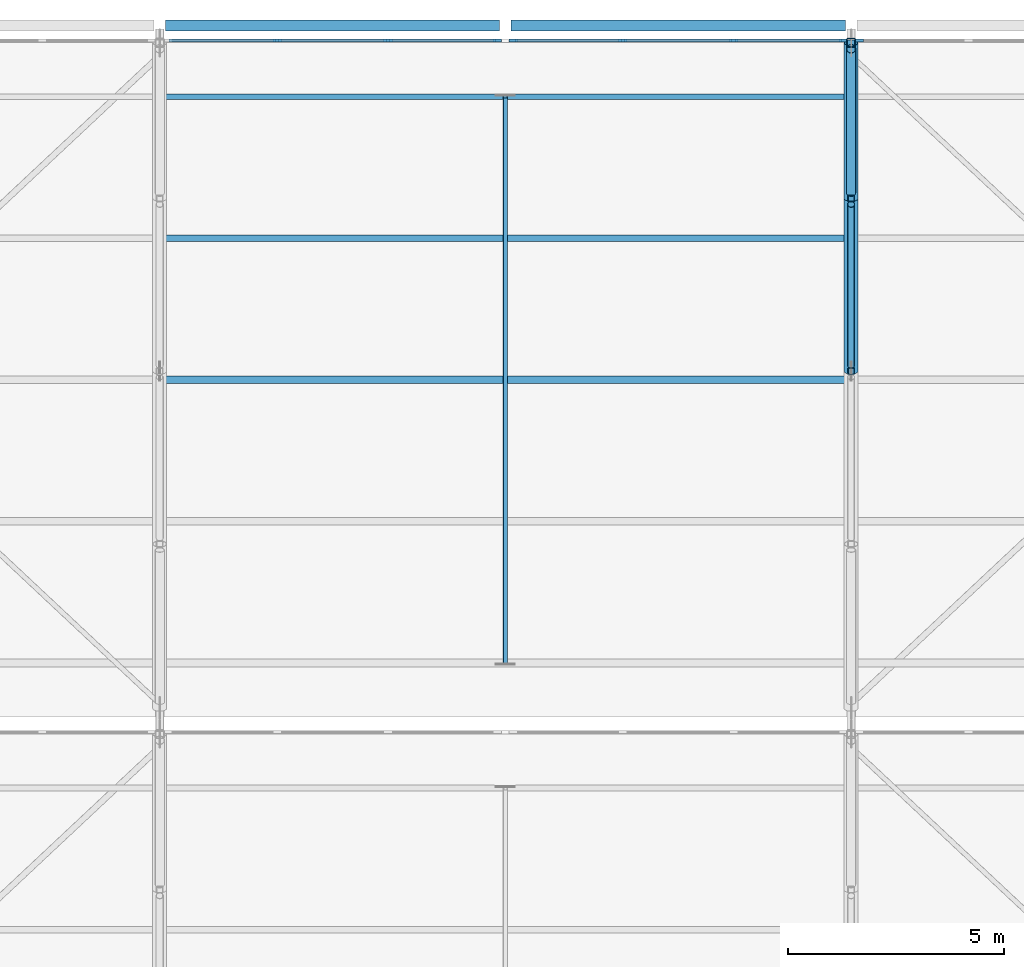
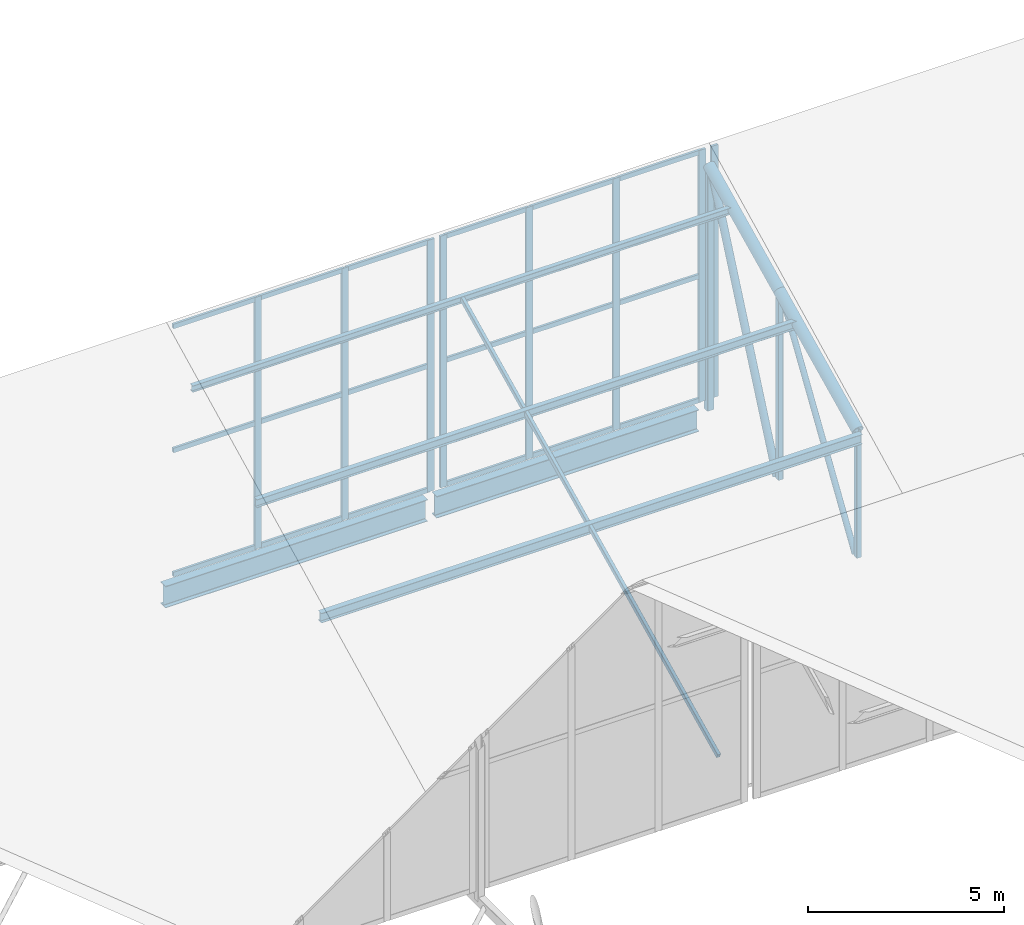
# One storey, part 51 of 137: 34 members, 5 beams, 3 elements without a shape of their own.
"""IFC4 building model written with IfcOpenShell, lengths in metres."""

from ifc_helpers import new_model, si_unit, direction, frame, origin, origin_2d, place, context, subcontext, project, spatial, rectangle, hollow_rectangle, hollow_circle, i_section, extrude, material, layer, layer_set, material_profile, profile_set, type_object, element, aggregate, save


model = new_model("IFC4")

# Units and contexts
model_context = context("Model", 3, precision=1e-05, world=origin(), true_north=direction((0.0, 1.0)))
body_context = subcontext(model_context, "Body", "Model", "MODEL_VIEW")
ifc_project = project(units=[si_unit("LENGTHUNIT", "METRE"), si_unit("AREAUNIT", "SQUARE_METRE"), si_unit("VOLUMEUNIT", "CUBIC_METRE"), si_unit("PLANEANGLEUNIT", "RADIAN"), si_unit("MASSUNIT", "GRAM", prefix="KILO")], contexts=[model_context])

# Site, building, storey
site_placement = place(None, origin())
site = spatial("IfcSite", under=ifc_project, at=site_placement, CompositionType="ELEMENT")
building_placement = place(site_placement, origin())
building = spatial("IfcBuilding", under=site, at=building_placement, Name="Jelvoka-Kovrelna Polytechnic", CompositionType="ELEMENT")
storey_placement = place(building_placement, frame((0.0, 0.0, 9.60009765625)))
storey = spatial("IfcBuildingStorey", under=building, at=storey_placement, Name="L03", CompositionType="ELEMENT", Elevation=9.60009765625)

# Beams
ifc_material_1 = material(Name="Structural steel S355JR", Category="steel")
ifc_material_profile_1 = material_profile(ifc_material_1, i_section(OverallWidth=0.2529296875, OverallDepth=0.677978515625, WebThickness=0.01171875, FlangeThickness=0.01611328125, FilletRadius=0.01513671875, at=origin_2d()), Name="686x254x125 UB")
ifc_profile_set_1 = profile_set([ifc_material_profile_1], Name="Structural steel S355JR")
beam_type_1 = type_object("IfcBeamType", Name="Girder_Steel_UB686", PredefinedType="BEAM", material=ifc_profile_set_1)
for number, where, z_axis, x_axis, name in (
    (1, (104.132568359375, 120.0, -0.34912109375), (1.0, 0.0, 0.0), (0.0, 1.0, 0.0), "L03 beam 0094"),
    (2, (112.132568359375, 120.0, -0.34912109375), (1.0, 0.0, 0.0), (0.0, 1.0, 0.0), "L03 beam 0096"),
):
    element("IfcBeam", number, at=place(storey_placement, frame(where, z_axis=z_axis, x_axis=x_axis)), inside=storey, type_object=beam_type_1, Name=name, PredefinedType="BEAM", context=body_context, shape_type="SweptSolid", body=[
        extrude(i_section(OverallWidth=0.2529296875, OverallDepth=0.677978515625, WebThickness=0.01171875, FlangeThickness=0.01611328125, FilletRadius=0.01513671875, at=origin_2d()), origin(), (0.0, 0.0, 1.0), 7.73486328125),
    ])

# Members
ifc_material_2 = material(Name="Structural steel S355J2H", Category="steel")
ifc_material_profile_2 = material_profile(ifc_material_2, hollow_circle(Radius=0.084228515625, WallThickness=0.008056640625, at=origin_2d()), Name="168.3x8.0 CHS")
ifc_profile_set_2 = profile_set([ifc_material_profile_2], Name="Structural steel S355J2H")
member_type_1 = type_object("IfcMemberType", Name="Member_Brace_CHS168", PredefinedType="BRACE", material=ifc_profile_set_2)
member_1_placement = place(storey_placement, frame((120.0, 112.139892578125, 0.14990234375), z_axis=(0.0, 0.5415746521, 0.840652660855), x_axis=(-1.0, 0.0, 0.0)))
element("IfcMember", 3, at=member_1_placement, inside=storey, type_object=member_type_1, Name="Sawtooth truss 3 diagonal web 2.3", PredefinedType="BRACE", context=body_context, shape_type="SweptSolid", body=[
    extrude(hollow_circle(Radius=0.084228515625, WallThickness=0.008056640625, at=origin_2d()), origin(), (0.0, 0.0, 1.0), 6.869140625),
])
ifc_material_3 = material(Name="Structural steel S355J2H", Category="steel")
ifc_material_profile_3 = material_profile(ifc_material_3, hollow_circle(Radius=0.109619140625, WallThickness=0.008056640625, at=origin_2d()), Name="219.1x8.0 CHS")
ifc_profile_set_3 = profile_set([ifc_material_profile_3], Name="Structural steel S355J2H")
member_type_2 = type_object("IfcMemberType", Name="Member_Brace_CHS219", PredefinedType="BRACE", material=ifc_profile_set_3)
member_2_placement = place(storey_placement, frame((120.0, 116.139892578125, 0.14990234375), z_axis=(0.0, 0.404336237521, 0.914610412705), x_axis=(-1.0, 0.0, 0.0)))
element("IfcMember", 4, at=member_2_placement, inside=storey, type_object=member_type_2, Name="Sawtooth truss 3 diagonal web 2.4", PredefinedType="BRACE", context=body_context, shape_type="SweptSolid", body=[
    extrude(hollow_circle(Radius=0.109619140625, WallThickness=0.008056640625, at=origin_2d()), origin(), (0.0, 0.0, 1.0), 8.211181640625),
])
ifc_material_4 = material(Name="Structural steel S355J2H", Category="steel")
ifc_material_profile_4 = material_profile(ifc_material_4, hollow_circle(Radius=0.161865234375, WallThickness=0.010009765625, at=origin_2d()), Name="323.9x10.0 CHS")
ifc_profile_set_4 = profile_set([ifc_material_profile_4], Name="Structural steel S355J2H")
member_type_3 = type_object("IfcMemberType", Name="Member_Chord_CHS324", PredefinedType="CHORD", material=ifc_profile_set_4)
member_3_placement = place(storey_placement, frame((120.0, 112.0, 4.076416015625), z_axis=(0.0, 0.900820911068, 0.434190840741), x_axis=(-1.0, 0.0, 0.0)))
element("IfcMember", 5, at=member_3_placement, inside=storey, type_object=member_type_3, Name="Sawtooth truss 3 top chord 2.3", PredefinedType="CHORD", context=body_context, shape_type="SweptSolid", body=[
    extrude(hollow_circle(Radius=0.161865234375, WallThickness=0.010009765625, at=origin_2d()), origin(), (0.0, 0.0, 1.0), 4.4404296875),
])
member_4_placement = place(storey_placement, frame((120.0, 116.0, 6.00439453125), z_axis=(0.0, 0.900784896778, 0.434265552095), x_axis=(-1.0, 0.0, 0.0)))
element("IfcMember", 6, at=member_4_placement, inside=storey, type_object=member_type_3, Name="Sawtooth truss 3 top chord 2.4", PredefinedType="CHORD", context=body_context, shape_type="SweptSolid", body=[
    extrude(hollow_circle(Radius=0.161865234375, WallThickness=0.010009765625, at=origin_2d()), origin(), (0.0, 0.0, 1.0), 3.99658203125),
])
ifc_material_5 = material(Name="Structural steel S355J2H", Category="steel")
ifc_material_profile_5 = material_profile(ifc_material_5, hollow_rectangle(XDim=0.14990234375, YDim=0.14990234375, WallThickness=0.008056640625, InnerFilletRadius=0.008056640625, OuterFilletRadius=0.011962890625, at=origin_2d()), Name="150x150x8.0 SHS")
ifc_profile_set_5 = profile_set([ifc_material_profile_5], Name="Structural steel S355J2H")
member_type_4 = type_object("IfcMemberType", Name="Member_Post_SHS150", PredefinedType="POST", material=ifc_profile_set_5)
member_5_placement = place(storey_placement, frame((120.0, 112.0, 0.14990234375), z_axis=(0.0, 0.0, 1.0), x_axis=(1.0, 0.0, 0.0)))
element("IfcMember", 7, at=member_5_placement, inside=storey, type_object=member_type_4, Name="Sawtooth truss 3 web post 2.3", PredefinedType="POST", context=body_context, shape_type="SweptSolid", body=[
    extrude(hollow_rectangle(XDim=0.14990234375, YDim=0.14990234375, WallThickness=0.008056640625, InnerFilletRadius=0.008056640625, OuterFilletRadius=0.011962890625, at=origin_2d()), origin(), (0.0, 0.0, 1.0), 3.926513671875),
])
member_6_placement = place(storey_placement, frame((120.0, 116.0, 0.14990234375), z_axis=(0.0, 0.0, 1.0), x_axis=(1.0, 0.0, 0.0)))
element("IfcMember", 8, at=member_6_placement, inside=storey, type_object=member_type_4, Name="Sawtooth truss 3 web post 2.4", PredefinedType="POST", context=body_context, shape_type="SweptSolid", body=[
    extrude(hollow_rectangle(XDim=0.14990234375, YDim=0.14990234375, WallThickness=0.008056640625, InnerFilletRadius=0.008056640625, OuterFilletRadius=0.011962890625, at=origin_2d()), origin(), (0.0, 0.0, 1.0), 5.8544921875),
])
ifc_material_6 = material(Name="Structural steel S355J2H", Category="steel")
ifc_material_profile_6 = material_profile(ifc_material_6, hollow_rectangle(XDim=0.199951171875, YDim=0.199951171875, WallThickness=0.010009765625, InnerFilletRadius=0.010009765625, OuterFilletRadius=0.014892578125, at=origin_2d()), Name="200x200x10.0 SHS")
ifc_profile_set_6 = profile_set([ifc_material_profile_6], Name="Structural steel S355J2H")
member_type_5 = type_object("IfcMemberType", Name="Member_Post_SHS200", PredefinedType="POST", material=ifc_profile_set_6)
member_7_placement = place(storey_placement, frame((120.0, 119.60009765625, 0.14990234375), z_axis=(0.0, 0.0, 1.0), x_axis=(1.0, 0.0, 0.0)))
element("IfcMember", 9, at=member_7_placement, inside=storey, type_object=member_type_5, Name="Sawtooth truss 3 web post 2.5", PredefinedType="POST", context=body_context, shape_type="SweptSolid", body=[
    extrude(hollow_rectangle(XDim=0.199951171875, YDim=0.199951171875, WallThickness=0.010009765625, InnerFilletRadius=0.010009765625, OuterFilletRadius=0.014892578125, at=origin_2d()), origin(), (0.0, 0.0, 1.0), 7.590087890625),
])
ifc_material_7 = material(Name="Structural steel S355J2H", Category="steel")
ifc_material_profile_7 = material_profile(ifc_material_7, hollow_rectangle(XDim=0.10009765625, YDim=0.14990234375, WallThickness=0.00634765625, InnerFilletRadius=0.00634765625, OuterFilletRadius=0.009521484375, at=origin_2d()), Name="150x100x6.3 RHS")
ifc_profile_set_7 = profile_set([ifc_material_profile_7], Name="Structural steel S355J2H")
member_type_6 = type_object("IfcMemberType", Name="Member_Rafter_RHS150", PredefinedType="RAFTER", material=ifc_profile_set_7)
member_8_placement = place(storey_placement, frame((112.0, 105.248046875, 0.821533203125), z_axis=(0.0, 0.900805023058, 0.434223802243), x_axis=(-1.0, 0.0, 0.0)))
element("IfcMember", 10, at=member_8_placement, inside=storey, type_object=member_type_6, Name="Sawtooth mid-bay secondary rafter 2.2", PredefinedType="RAFTER", context=body_context, shape_type="SweptSolid", body=[
    extrude(hollow_rectangle(XDim=0.10009765625, YDim=0.14990234375, WallThickness=0.00634765625, InnerFilletRadius=0.00634765625, OuterFilletRadius=0.009521484375, at=origin_2d()), origin(), (0.0, 0.0, 1.0), 14.546875),
])

# Curtain wall, members
ifc_material_8 = material(Name="Anodised aluminium 6063-T6", Category="aluminium")
ifc_layer = layer(ifc_material_8, 0.199951171875)
ifc_layer_set = layer_set([ifc_layer], Name="Anodised aluminium 6063-T6")
curtain_wall_type = type_object("IfcCurtainWallType", Name="CW_Clerestory", PredefinedType="NOTDEFINED", material=ifc_layer_set)
curtain_wall_1_placement = place(storey_placement, origin())
curtain_wall_1 = element("IfcCurtainWall", 11, at=curtain_wall_1_placement, inside=storey, type_object=curtain_wall_type, Name="L03 glazed curtain wall 188", PredefinedType="NOTDEFINED")
ifc_material_9 = material(Name="Anodised aluminium 6063-T6", Category="aluminium")
ifc_material_profile_8 = material_profile(ifc_material_9, rectangle(XDim=0.070068359375, YDim=0.199951171875, at=origin_2d()), Name="ALU 70x200")
ifc_profile_set_8 = profile_set([ifc_material_profile_8], Name="Anodised aluminium 6063-T6")
member_type_7 = type_object("IfcMemberType", Name="Mullion_M-03", PredefinedType="MULLION", material=ifc_profile_set_8)
member_9_placement = place(storey_placement, frame((106.716552734375, 119.64990234375, 0.425048828125), z_axis=(0.0, 0.0, 1.0), x_axis=(0.0, 1.0, 0.0)))
member_9 = element("IfcMember", 12, at=member_9_placement, type_object=member_type_7, Name="CW-03 mullion 2", PredefinedType="MULLION", context=body_context, shape_type="SweptSolid", body=[
    extrude(rectangle(XDim=0.070068359375, YDim=0.199951171875, at=origin_2d()), origin(), (0.0, 0.0, 1.0), 7.85009765625),
])
member_10_placement = place(storey_placement, frame((109.283447265625, 119.64990234375, 0.425048828125), z_axis=(0.0, 0.0, 1.0), x_axis=(0.0, 1.0, 0.0)))
member_10 = element("IfcMember", 13, at=member_10_placement, type_object=member_type_7, Name="CW-03 mullion 3", PredefinedType="MULLION", context=body_context, shape_type="SweptSolid", body=[
    extrude(rectangle(XDim=0.070068359375, YDim=0.199951171875, at=origin_2d()), origin(), (0.0, 0.0, 1.0), 7.85009765625),
])
member_11_placement = place(storey_placement, frame((111.81494140625, 119.64990234375, 0.425048828125), z_axis=(0.0, 0.0, 1.0), x_axis=(0.0, 1.0, 0.0)))
member_11 = element("IfcMember", 14, at=member_11_placement, type_object=member_type_7, Name="CW-03 mullion 4", PredefinedType="MULLION", context=body_context, shape_type="SweptSolid", body=[
    extrude(rectangle(XDim=0.070068359375, YDim=0.199951171875, at=origin_2d()), origin(), (0.0, 0.0, 1.0), 7.85009765625),
])

curtain_wall_2_placement = place(storey_placement, origin())
curtain_wall_2 = element("IfcCurtainWall", 15, at=curtain_wall_2_placement, inside=storey, type_object=curtain_wall_type, Name="L03 glazed curtain wall 190", PredefinedType="NOTDEFINED")
member_12_placement = place(storey_placement, frame((112.18505859375, 119.64990234375, 0.425048828125), z_axis=(0.0, 0.0, 1.0), x_axis=(0.0, 1.0, 0.0)))
member_12 = element("IfcMember", 16, at=member_12_placement, type_object=member_type_7, Name="CW-03 mullion 1", PredefinedType="MULLION", context=body_context, shape_type="SweptSolid", body=[
    extrude(rectangle(XDim=0.070068359375, YDim=0.199951171875, at=origin_2d()), origin(), (0.0, 0.0, 1.0), 7.85009765625),
])
member_13_placement = place(storey_placement, frame((114.716552734375, 119.64990234375, 0.425048828125), z_axis=(0.0, 0.0, 1.0), x_axis=(0.0, 1.0, 0.0)))
member_13 = element("IfcMember", 17, at=member_13_placement, type_object=member_type_7, Name="CW-03 mullion 2", PredefinedType="MULLION", context=body_context, shape_type="SweptSolid", body=[
    extrude(rectangle(XDim=0.070068359375, YDim=0.199951171875, at=origin_2d()), origin(), (0.0, 0.0, 1.0), 7.85009765625),
])
member_14_placement = place(storey_placement, frame((117.283447265625, 119.64990234375, 0.425048828125), z_axis=(0.0, 0.0, 1.0), x_axis=(0.0, 1.0, 0.0)))
member_14 = element("IfcMember", 18, at=member_14_placement, type_object=member_type_7, Name="CW-03 mullion 3", PredefinedType="MULLION", context=body_context, shape_type="SweptSolid", body=[
    extrude(rectangle(XDim=0.070068359375, YDim=0.199951171875, at=origin_2d()), origin(), (0.0, 0.0, 1.0), 7.85009765625),
])
member_15_placement = place(storey_placement, frame((119.81494140625, 119.64990234375, 0.425048828125), z_axis=(0.0, 0.0, 1.0), x_axis=(0.0, 1.0, 0.0)))
member_15 = element("IfcMember", 19, at=member_15_placement, type_object=member_type_7, Name="CW-03 mullion 4", PredefinedType="MULLION", context=body_context, shape_type="SweptSolid", body=[
    extrude(rectangle(XDim=0.070068359375, YDim=0.199951171875, at=origin_2d()), origin(), (0.0, 0.0, 1.0), 7.85009765625),
])

# Curtain wall, member
curtain_wall_3_placement = place(storey_placement, origin())
curtain_wall_3 = element("IfcCurtainWall", 20, at=curtain_wall_3_placement, inside=storey, type_object=curtain_wall_type, Name="L03 glazed curtain wall 192", PredefinedType="NOTDEFINED")
member_16_placement = place(storey_placement, frame((120.18505859375, 119.64990234375, 0.425048828125), z_axis=(0.0, 0.0, 1.0), x_axis=(0.0, 1.0, 0.0)))
member_16 = element("IfcMember", 21, at=member_16_placement, type_object=member_type_7, Name="CW-03 mullion 1", PredefinedType="MULLION", context=body_context, shape_type="SweptSolid", body=[
    extrude(rectangle(XDim=0.070068359375, YDim=0.199951171875, at=origin_2d()), origin(), (0.0, 0.0, 1.0), 7.85009765625),
])
aggregate(curtain_wall_3, [member_16])

# Beams
ifc_material_10 = material(Name="Structural steel S355JR", Category="steel")
ifc_material_profile_9 = material_profile(ifc_material_10, i_section(OverallWidth=0.13330078125, OverallDepth=0.203125, WebThickness=0.005615234375, FlangeThickness=0.0078125, FilletRadius=0.007568359375, at=origin_2d()), Name="203x133x25 UB")
ifc_profile_set_9 = profile_set([ifc_material_profile_9], Name="Structural steel S355JR")
beam_type_2 = type_object("IfcBeamType", Name="Purlin_Steel_UB203", PredefinedType="JOIST", material=ifc_profile_set_9)
beam_1_placement = place(storey_placement, frame((104.02001953125, 118.35205078125, 7.13818359375), z_axis=(1.0, 0.0, 0.0), x_axis=(0.0, 1.0, 0.0)))
element("IfcBeam", 22, at=beam_1_placement, inside=storey, type_object=beam_type_2, Name="Sawtooth roof purlin 020", PredefinedType="JOIST", context=body_context, shape_type="SweptSolid", body=[
    extrude(i_section(OverallWidth=0.13330078125, OverallDepth=0.203125, WebThickness=0.005615234375, FlangeThickness=0.0078125, FilletRadius=0.007568359375, at=origin_2d()), origin(), (0.0, 0.0, 1.0), 15.9599609375),
])
ifc_material_11 = material(Name="Structural steel S355JR", Category="steel")
ifc_material_profile_10 = material_profile(ifc_material_11, i_section(OverallWidth=0.14599609375, OverallDepth=0.25146484375, WebThickness=0.006103515625, FlangeThickness=0.008544921875, FilletRadius=0.007568359375, at=origin_2d()), Name="254x146x31 UB")
ifc_profile_set_10 = profile_set([ifc_material_profile_10], Name="Structural steel S355JR")
beam_type_3 = type_object("IfcBeamType", Name="Purlin_Steel_UB254", PredefinedType="JOIST", material=ifc_profile_set_10)
beam_2_placement = place(storey_placement, frame((104.02001953125, 115.075927734375, 5.55908203125), z_axis=(1.0, 0.0, 0.0), x_axis=(0.0, 1.0, 0.0)))
element("IfcBeam", 23, at=beam_2_placement, inside=storey, type_object=beam_type_3, Name="Sawtooth roof purlin 019", PredefinedType="JOIST", context=body_context, shape_type="SweptSolid", body=[
    extrude(i_section(OverallWidth=0.14599609375, OverallDepth=0.25146484375, WebThickness=0.006103515625, FlangeThickness=0.008544921875, FilletRadius=0.007568359375, at=origin_2d()), origin(), (0.0, 0.0, 1.0), 15.9599609375),
])
ifc_material_12 = material(Name="Structural steel S355JR", Category="steel")
ifc_material_profile_11 = material_profile(ifc_material_12, i_section(OverallWidth=0.1650390625, OverallDepth=0.303466796875, WebThickness=0.006103515625, FlangeThickness=0.01025390625, FilletRadius=0.0087890625, at=origin_2d()), Name="305x165x40 UB")
ifc_profile_set_11 = profile_set([ifc_material_profile_11], Name="Structural steel S355JR")
beam_type_4 = type_object("IfcBeamType", Name="Purlin_Steel_UB305", PredefinedType="JOIST", material=ifc_profile_set_11)
beam_3_placement = place(storey_placement, frame((104.02001953125, 111.800048828125, 3.97998046875), z_axis=(1.0, 0.0, 0.0), x_axis=(0.0, 1.0, 0.0)))
element("IfcBeam", 24, at=beam_3_placement, inside=storey, type_object=beam_type_4, Name="Sawtooth roof purlin 018", PredefinedType="JOIST", context=body_context, shape_type="SweptSolid", body=[
    extrude(i_section(OverallWidth=0.1650390625, OverallDepth=0.303466796875, WebThickness=0.006103515625, FlangeThickness=0.01025390625, FilletRadius=0.0087890625, at=origin_2d()), origin(), (0.0, 0.0, 1.0), 15.9599609375),
])

# Member
ifc_material_13 = material(Name="Anodised aluminium 6063-T6", Category="aluminium")
ifc_material_profile_12 = material_profile(ifc_material_13, rectangle(XDim=0.070068359375, YDim=0.14501953125, at=origin_2d()), Name="ALU 70x145")
ifc_profile_set_12 = profile_set([ifc_material_profile_12], Name="Anodised aluminium 6063-T6")
member_type_8 = type_object("IfcMemberType", Name="Transom_T-03", PredefinedType="USERDEFINED", material=ifc_profile_set_12)
member_17_placement = place(storey_placement, frame((104.219970703125, 119.64990234375, 0.48486328125), z_axis=(1.0, 0.0, 0.0), x_axis=(0.0, 1.0, 0.0)))
member_17 = element("IfcMember", 25, at=member_17_placement, type_object=member_type_8, Name="CW-03 transom 1.1", ObjectType="TRANSOM", PredefinedType="USERDEFINED", context=body_context, shape_type="SweptSolid", body=[
    extrude(rectangle(XDim=0.070068359375, YDim=0.14501953125, at=origin_2d()), origin(), (0.0, 0.0, 1.0), 2.461669921875),
])

member_18_placement = place(storey_placement, frame((104.219970703125, 119.64990234375, 4.349853515625), z_axis=(1.0, 0.0, 0.0), x_axis=(0.0, 1.0, 0.0)))
member_18 = element("IfcMember", 26, at=member_18_placement, type_object=member_type_8, Name="CW-03 transom 1.2", ObjectType="TRANSOM", PredefinedType="USERDEFINED", context=body_context, shape_type="SweptSolid", body=[
    extrude(rectangle(XDim=0.070068359375, YDim=0.14501953125, at=origin_2d()), origin(), (0.0, 0.0, 1.0), 2.461669921875),
])

member_19_placement = place(storey_placement, frame((104.219970703125, 119.64990234375, 8.21484375), z_axis=(1.0, 0.0, 0.0), x_axis=(0.0, 1.0, 0.0)))
member_19 = element("IfcMember", 27, at=member_19_placement, type_object=member_type_8, Name="CW-03 transom 1.3", ObjectType="TRANSOM", PredefinedType="USERDEFINED", context=body_context, shape_type="SweptSolid", body=[
    extrude(rectangle(XDim=0.070068359375, YDim=0.14501953125, at=origin_2d()), origin(), (0.0, 0.0, 1.0), 2.461669921875),
])

member_20_placement = place(storey_placement, frame((106.751708984375, 119.64990234375, 0.48486328125), z_axis=(1.0, 0.0, 0.0), x_axis=(0.0, 1.0, 0.0)))
member_20 = element("IfcMember", 28, at=member_20_placement, type_object=member_type_8, Name="CW-03 transom 2.1", ObjectType="TRANSOM", PredefinedType="USERDEFINED", context=body_context, shape_type="SweptSolid", body=[
    extrude(rectangle(XDim=0.070068359375, YDim=0.14501953125, at=origin_2d()), origin(), (0.0, 0.0, 1.0), 2.49658203125),
])

member_21_placement = place(storey_placement, frame((106.751708984375, 119.64990234375, 4.349853515625), z_axis=(1.0, 0.0, 0.0), x_axis=(0.0, 1.0, 0.0)))
member_21 = element("IfcMember", 29, at=member_21_placement, type_object=member_type_8, Name="CW-03 transom 2.2", ObjectType="TRANSOM", PredefinedType="USERDEFINED", context=body_context, shape_type="SweptSolid", body=[
    extrude(rectangle(XDim=0.070068359375, YDim=0.14501953125, at=origin_2d()), origin(), (0.0, 0.0, 1.0), 2.49658203125),
])

member_22_placement = place(storey_placement, frame((106.751708984375, 119.64990234375, 8.21484375), z_axis=(1.0, 0.0, 0.0), x_axis=(0.0, 1.0, 0.0)))
member_22 = element("IfcMember", 30, at=member_22_placement, type_object=member_type_8, Name="CW-03 transom 2.3", ObjectType="TRANSOM", PredefinedType="USERDEFINED", context=body_context, shape_type="SweptSolid", body=[
    extrude(rectangle(XDim=0.070068359375, YDim=0.14501953125, at=origin_2d()), origin(), (0.0, 0.0, 1.0), 2.49658203125),
])

member_23_placement = place(storey_placement, frame((109.318359375, 119.64990234375, 0.48486328125), z_axis=(1.0, 0.0, 0.0), x_axis=(0.0, 1.0, 0.0)))
member_23 = element("IfcMember", 31, at=member_23_placement, type_object=member_type_8, Name="CW-03 transom 3.1", ObjectType="TRANSOM", PredefinedType="USERDEFINED", context=body_context, shape_type="SweptSolid", body=[
    extrude(rectangle(XDim=0.070068359375, YDim=0.14501953125, at=origin_2d()), origin(), (0.0, 0.0, 1.0), 2.461669921875),
])

member_24_placement = place(storey_placement, frame((109.318359375, 119.64990234375, 4.349853515625), z_axis=(1.0, 0.0, 0.0), x_axis=(0.0, 1.0, 0.0)))
member_24 = element("IfcMember", 32, at=member_24_placement, type_object=member_type_8, Name="CW-03 transom 3.2", ObjectType="TRANSOM", PredefinedType="USERDEFINED", context=body_context, shape_type="SweptSolid", body=[
    extrude(rectangle(XDim=0.070068359375, YDim=0.14501953125, at=origin_2d()), origin(), (0.0, 0.0, 1.0), 2.461669921875),
])

member_25_placement = place(storey_placement, frame((109.318359375, 119.64990234375, 8.21484375), z_axis=(1.0, 0.0, 0.0), x_axis=(0.0, 1.0, 0.0)))
member_25 = element("IfcMember", 33, at=member_25_placement, type_object=member_type_8, Name="CW-03 transom 3.3", ObjectType="TRANSOM", PredefinedType="USERDEFINED", context=body_context, shape_type="SweptSolid", body=[
    extrude(rectangle(XDim=0.070068359375, YDim=0.14501953125, at=origin_2d()), origin(), (0.0, 0.0, 1.0), 2.461669921875),
])

aggregate(curtain_wall_1, [member_9, member_10, member_11, member_17, member_18, member_19, member_20, member_21, member_22, member_23, member_24, member_25])

member_26_placement = place(storey_placement, frame((112.219970703125, 119.64990234375, 0.48486328125), z_axis=(1.0, 0.0, 0.0), x_axis=(0.0, 1.0, 0.0)))
member_26 = element("IfcMember", 34, at=member_26_placement, type_object=member_type_8, Name="CW-03 transom 1.1", ObjectType="TRANSOM", PredefinedType="USERDEFINED", context=body_context, shape_type="SweptSolid", body=[
    extrude(rectangle(XDim=0.070068359375, YDim=0.14501953125, at=origin_2d()), origin(), (0.0, 0.0, 1.0), 2.461669921875),
])

member_27_placement = place(storey_placement, frame((112.219970703125, 119.64990234375, 4.349853515625), z_axis=(1.0, 0.0, 0.0), x_axis=(0.0, 1.0, 0.0)))
member_27 = element("IfcMember", 35, at=member_27_placement, type_object=member_type_8, Name="CW-03 transom 1.2", ObjectType="TRANSOM", PredefinedType="USERDEFINED", context=body_context, shape_type="SweptSolid", body=[
    extrude(rectangle(XDim=0.070068359375, YDim=0.14501953125, at=origin_2d()), origin(), (0.0, 0.0, 1.0), 2.461669921875),
])

member_28_placement = place(storey_placement, frame((112.219970703125, 119.64990234375, 8.21484375), z_axis=(1.0, 0.0, 0.0), x_axis=(0.0, 1.0, 0.0)))
member_28 = element("IfcMember", 36, at=member_28_placement, type_object=member_type_8, Name="CW-03 transom 1.3", ObjectType="TRANSOM", PredefinedType="USERDEFINED", context=body_context, shape_type="SweptSolid", body=[
    extrude(rectangle(XDim=0.070068359375, YDim=0.14501953125, at=origin_2d()), origin(), (0.0, 0.0, 1.0), 2.461669921875),
])

member_29_placement = place(storey_placement, frame((114.751708984375, 119.64990234375, 0.48486328125), z_axis=(1.0, 0.0, 0.0), x_axis=(0.0, 1.0, 0.0)))
member_29 = element("IfcMember", 37, at=member_29_placement, type_object=member_type_8, Name="CW-03 transom 2.1", ObjectType="TRANSOM", PredefinedType="USERDEFINED", context=body_context, shape_type="SweptSolid", body=[
    extrude(rectangle(XDim=0.070068359375, YDim=0.14501953125, at=origin_2d()), origin(), (0.0, 0.0, 1.0), 2.49658203125),
])

member_30_placement = place(storey_placement, frame((114.751708984375, 119.64990234375, 4.349853515625), z_axis=(1.0, 0.0, 0.0), x_axis=(0.0, 1.0, 0.0)))
member_30 = element("IfcMember", 38, at=member_30_placement, type_object=member_type_8, Name="CW-03 transom 2.2", ObjectType="TRANSOM", PredefinedType="USERDEFINED", context=body_context, shape_type="SweptSolid", body=[
    extrude(rectangle(XDim=0.070068359375, YDim=0.14501953125, at=origin_2d()), origin(), (0.0, 0.0, 1.0), 2.49658203125),
])

member_31_placement = place(storey_placement, frame((114.751708984375, 119.64990234375, 8.21484375), z_axis=(1.0, 0.0, 0.0), x_axis=(0.0, 1.0, 0.0)))
member_31 = element("IfcMember", 39, at=member_31_placement, type_object=member_type_8, Name="CW-03 transom 2.3", ObjectType="TRANSOM", PredefinedType="USERDEFINED", context=body_context, shape_type="SweptSolid", body=[
    extrude(rectangle(XDim=0.070068359375, YDim=0.14501953125, at=origin_2d()), origin(), (0.0, 0.0, 1.0), 2.49658203125),
])

member_32_placement = place(storey_placement, frame((117.318359375, 119.64990234375, 0.48486328125), z_axis=(1.0, 0.0, 0.0), x_axis=(0.0, 1.0, 0.0)))
member_32 = element("IfcMember", 40, at=member_32_placement, type_object=member_type_8, Name="CW-03 transom 3.1", ObjectType="TRANSOM", PredefinedType="USERDEFINED", context=body_context, shape_type="SweptSolid", body=[
    extrude(rectangle(XDim=0.070068359375, YDim=0.14501953125, at=origin_2d()), origin(), (0.0, 0.0, 1.0), 2.461669921875),
])

member_33_placement = place(storey_placement, frame((117.318359375, 119.64990234375, 4.349853515625), z_axis=(1.0, 0.0, 0.0), x_axis=(0.0, 1.0, 0.0)))
member_33 = element("IfcMember", 41, at=member_33_placement, type_object=member_type_8, Name="CW-03 transom 3.2", ObjectType="TRANSOM", PredefinedType="USERDEFINED", context=body_context, shape_type="SweptSolid", body=[
    extrude(rectangle(XDim=0.070068359375, YDim=0.14501953125, at=origin_2d()), origin(), (0.0, 0.0, 1.0), 2.461669921875),
])

member_34_placement = place(storey_placement, frame((117.318359375, 119.64990234375, 8.21484375), z_axis=(1.0, 0.0, 0.0), x_axis=(0.0, 1.0, 0.0)))
member_34 = element("IfcMember", 42, at=member_34_placement, type_object=member_type_8, Name="CW-03 transom 3.3", ObjectType="TRANSOM", PredefinedType="USERDEFINED", context=body_context, shape_type="SweptSolid", body=[
    extrude(rectangle(XDim=0.070068359375, YDim=0.14501953125, at=origin_2d()), origin(), (0.0, 0.0, 1.0), 2.461669921875),
])

aggregate(curtain_wall_2, [member_12, member_13, member_14, member_15, member_26, member_27, member_28, member_29, member_30, member_31, member_32, member_33, member_34])

save(model, "model.ifc")
